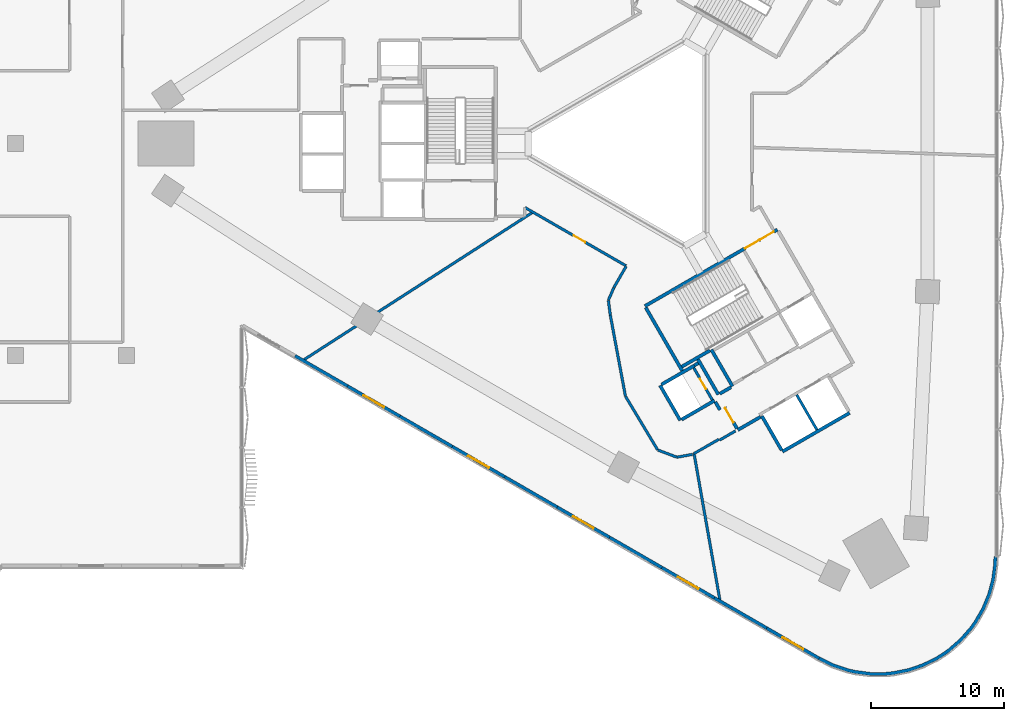
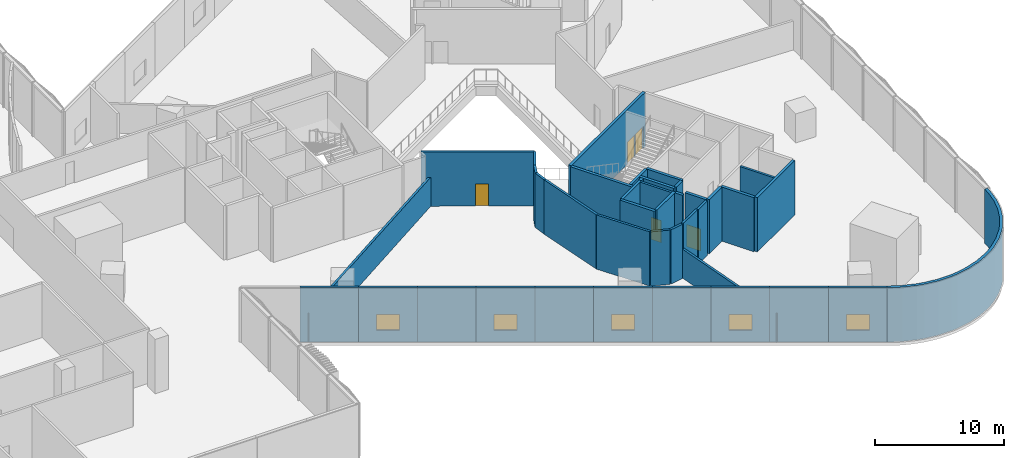
# One storey, part 14 of 31: 40 walls, 5 doors, 5 windows, 10 openings.
"""IFC4 building model written with IfcOpenShell, lengths in metres."""

from ifc_helpers import new_model, si_unit, direction, frame, frame_2d, origin, place, context, subcontext, project, spatial, polyline, rectangle, outline, extrude, material, layer, layer_set, type_object, element, fill, save


model = new_model("IFC4")

# Units and contexts
model_context = context("Model", 3, precision=1e-05, world=origin(), true_north=direction((0.0, 1.0)))
body_context = subcontext(model_context, "Body", "Model", "MODEL_VIEW")
ifc_project = project(units=[si_unit("LENGTHUNIT", "METRE"), si_unit("AREAUNIT", "SQUARE_METRE"), si_unit("VOLUMEUNIT", "CUBIC_METRE"), si_unit("PLANEANGLEUNIT", "RADIAN"), si_unit("MASSUNIT", "GRAM", prefix="KILO")], contexts=[model_context])

# Site, building, storey
site_placement = place(None, origin())
site = spatial("IfcSite", under=ifc_project, at=site_placement, CompositionType="ELEMENT")
building_placement = place(site_placement, origin())
building = spatial("IfcBuilding", under=site, at=building_placement, Name="Tamra Quay Hotel Tower", CompositionType="ELEMENT")
storey_placement = place(building_placement, frame((0.0, 0.0, 14.0)))
storey = spatial("IfcBuildingStorey", under=building, at=storey_placement, Name="L02", CompositionType="ELEMENT", Elevation=14.0)

# Wall
ifc_material_1 = material(Name="Concrete M70", Category="concrete")
ifc_layer_1 = layer(ifc_material_1, 0.199951171875)
ifc_layer_set_1 = layer_set([ifc_layer_1], Name="Concrete M70 core wall 200")
wall_type_1 = type_object("IfcWallType", Name="Concrete M70 core wall 200", PredefinedType="SHEAR", material=ifc_layer_set_1)
wall_1_placement = place(storey_placement, frame((11.87451171875, -18.967041015625, 0.0), z_axis=(0.0, 0.0, 1.0), x_axis=(0.49998131003, -0.866036194175, 0.0)))
element("IfcWall", 1, at=wall_1_placement, inside=storey, type_object=wall_type_1, Name="CW2", PredefinedType="SHEAR", context=body_context, shape_type="SweptSolid", body=[
    extrude(rectangle(XDim=3.0478515625, YDim=0.199951171875, at=frame_2d((1.52392578125, 0.0))), origin(), (0.0, 0.0, 1.0), 5.14990234375),
])

# Wall, opening, door
wall_2_placement = place(storey_placement, frame((5.50341796875, -19.352294921875, 0.0), z_axis=(0.0, 0.0, 1.0), x_axis=(-0.499986818241, 0.866033014143, 0.0)))
wall_2 = element("IfcWall", 2, at=wall_2_placement, inside=storey, type_object=wall_type_1, Name="CW2", PredefinedType="SHEAR", context=body_context, shape_type="SweptSolid", body=[
    extrude(rectangle(XDim=2.7978515625, YDim=0.199951171875, at=frame_2d((1.39892578125, 0.0))), origin(), (0.0, 0.0, 1.0), 5.14990234375),
])
opening_1_placement = place(wall_2_placement, frame((0.948974609375, 0.0, 0.0)))
opening_1 = element("IfcOpeningElement", 3, at=opening_1_placement, cuts=wall_2, Name="Opening D1", PredefinedType="OPENING", context=body_context, shape_type="SweptSolid", body=[
    extrude(rectangle(XDim=0.89990234375, YDim=2.10009765625, at=frame_2d((0.449951171875, 1.050048828125))), frame((0.0, 0.10986328125, 0.0), z_axis=(0.0, -1.0, 0.0), x_axis=(1.0, 0.0, 0.0)), (0.0, 0.0, 1.0), 0.219970703125),
])
ifc_material_2 = material(Name="Core door D1 900x2100 LH")
door_type_1 = type_object("IfcDoorType", Name="Core door D1 900x2100 LH", OperationType="NOTDEFINED", PredefinedType="DOOR", material=ifc_material_2)
door_1_placement = place(opening_1_placement, origin())
door_1 = element("IfcDoor", 4, at=door_1_placement, inside=storey, type_object=door_type_1, Name="D1", OperationType="SINGLE_SWING_LEFT", OverallHeight=2.10009765625, OverallWidth=0.89990234375, PredefinedType="DOOR", context=body_context, shape_type="SweptSolid", body=[
    extrude(rectangle(XDim=0.89990234375, YDim=2.10009765625, at=frame_2d((0.449951171875, 1.050048828125))), frame((0.0, 0.02490234375, 0.0), z_axis=(0.0, -1.0, 0.0), x_axis=(1.0, 0.0, 0.0)), (0.0, 0.0, 1.0), 0.050048828125),
])
fill(opening_1, door_1)

# Wall, openings, doors
ifc_layer_2 = layer(ifc_material_1, 0.25)
ifc_layer_set_2 = layer_set([ifc_layer_2], Name="Concrete M70 core wall 250")
wall_type_2 = type_object("IfcWallType", Name="Concrete M70 core wall 250", PredefinedType="SHEAR", material=ifc_layer_set_2)
wall_3_placement = place(storey_placement, frame((0.417236328125, -12.27294921875, 0.0), z_axis=(0.0, 0.0, 1.0), x_axis=(0.866021906294, 0.500006057782, 0.0)))
wall_3 = element("IfcWall", 5, at=wall_3_placement, inside=storey, type_object=wall_type_2, Name="CW1", PredefinedType="SHEAR", context=body_context, shape_type="SweptSolid", body=[
    extrude(rectangle(XDim=11.550048828125, YDim=0.25, at=frame_2d((5.77490234375, 0.0))), origin(), (0.0, 0.0, 1.0), 5.14990234375),
])
opening_2_placement = place(wall_3_placement, frame((10.024658203125, 0.0, 0.0)))
opening_2 = element("IfcOpeningElement", 6, at=opening_2_placement, cuts=wall_3, Name="Opening FD1", PredefinedType="OPENING", context=body_context, shape_type="SweptSolid", body=[
    extrude(rectangle(XDim=1.199951171875, YDim=2.10009765625, at=frame_2d((0.60009765625, 1.050048828125))), frame((0.0, 0.135009765625, 0.0), z_axis=(0.0, -1.0, 0.0), x_axis=(1.0, 0.0, 0.0)), (0.0, 0.0, 1.0), 0.27001953125),
])
opening_3_placement = place(wall_3_placement, frame((8.724609375, 0.0, 0.0)))
opening_3 = element("IfcOpeningElement", 7, at=opening_3_placement, cuts=wall_3, Name="Opening FD1", PredefinedType="OPENING", context=body_context, shape_type="SweptSolid", body=[
    extrude(rectangle(XDim=1.199951171875, YDim=2.10009765625, at=frame_2d((0.60009765625, 1.050048828125))), frame((0.0, 0.135009765625, 0.0), z_axis=(0.0, -1.0, 0.0), x_axis=(1.0, 0.0, 0.0)), (0.0, 0.0, 1.0), 0.27001953125),
])
ifc_material_3 = material(Name="Core door FD1 1200x2100 LH")
door_type_2 = type_object("IfcDoorType", Name="Core door FD1 1200x2100 LH", OperationType="NOTDEFINED", PredefinedType="DOOR", material=ifc_material_3)
door_2_placement = place(opening_2_placement, origin())
door_2 = element("IfcDoor", 8, at=door_2_placement, inside=storey, type_object=door_type_2, Name="FD1", OperationType="SINGLE_SWING_LEFT", OverallHeight=2.10009765625, OverallWidth=1.199951171875, PredefinedType="DOOR", context=body_context, shape_type="SweptSolid", body=[
    extrude(rectangle(XDim=1.199951171875, YDim=2.10009765625, at=frame_2d((0.60009765625, 1.050048828125))), frame((0.0, 0.02490234375, 0.0), z_axis=(0.0, -1.0, 0.0), x_axis=(1.0, 0.0, 0.0)), (0.0, 0.0, 1.0), 0.050048828125),
])
fill(opening_2, door_2)
ifc_material_4 = material(Name="Core door FD1 1200x2100 RH")
door_type_3 = type_object("IfcDoorType", Name="Core door FD1 1200x2100 RH", OperationType="NOTDEFINED", PredefinedType="DOOR", material=ifc_material_4)
door_3_placement = place(opening_3_placement, origin())
door_3 = element("IfcDoor", 9, at=door_3_placement, inside=storey, type_object=door_type_3, Name="FD1", OperationType="SINGLE_SWING_RIGHT", OverallHeight=2.10009765625, OverallWidth=1.199951171875, PredefinedType="DOOR", context=body_context, shape_type="SweptSolid", body=[
    extrude(rectangle(XDim=1.199951171875, YDim=2.10009765625, at=frame_2d((0.60009765625, 1.050048828125))), frame((0.0, 0.02490234375, 0.0), z_axis=(0.0, -1.0, 0.0), x_axis=(1.0, 0.0, 0.0)), (0.0, 0.0, 1.0), 0.050048828125),
])
fill(opening_3, door_3)

# Walls
wall_4_placement = place(storey_placement, frame((15.86474609375, -20.328369140625, 0.0), z_axis=(0.0, 0.0, 1.0), x_axis=(-0.86602852612, -0.499994591916, 0.0)))
element("IfcWall", 10, at=wall_4_placement, inside=storey, type_object=wall_type_2, Name="CW1", PredefinedType="SHEAR", context=body_context, shape_type="SweptSolid", body=[
    extrude(rectangle(XDim=5.85009765625, YDim=0.25, at=frame_2d((2.925048828125, 0.0))), origin(), (0.0, 0.0, 1.0), 5.14990234375),
])
wall_5_placement = place(storey_placement, frame((3.23486328125, -17.15283203125, 0.0), z_axis=(0.0, 0.0, 1.0), x_axis=(-0.500008851346, 0.866020293397, 0.0)))
element("IfcWall", 11, at=wall_5_placement, inside=storey, type_object=wall_type_2, Name="CW1", PredefinedType="SHEAR", context=body_context, shape_type="SweptSolid", body=[
    extrude(rectangle(XDim=5.509765625, YDim=0.25, at=frame_2d((2.7548828125, 0.0))), origin(), (0.0, 0.0, 1.0), 5.14990234375),
])
wall_6_placement = place(storey_placement, frame((7.030517578125, -18.327392578125, 0.0), z_axis=(0.0, 0.0, 1.0), x_axis=(-0.499971222258, 0.866042017984, 0.0)))
element("IfcWall", 12, at=wall_6_placement, inside=storey, type_object=wall_type_2, Name="CW1", PredefinedType="SHEAR", context=body_context, shape_type="SweptSolid", body=[
    extrude(rectangle(XDim=3.199951171875, YDim=0.25, at=frame_2d((1.60009765625, 0.0))), origin(), (0.0, 0.0, 1.0), 5.14990234375),
])
wall_7_placement = place(storey_placement, frame((10.73583984375, -23.144775390625, 0.0), z_axis=(0.0, 0.0, 1.0), x_axis=(-0.500023226632, 0.866011993467, 0.0)))
element("IfcWall", 13, at=wall_7_placement, inside=storey, type_object=wall_type_2, Name="CW1", PredefinedType="SHEAR", context=body_context, shape_type="SweptSolid", body=[
    extrude(rectangle(XDim=2.974365234375, YDim=0.25, at=frame_2d((1.4873046875, 0.0))), origin(), (0.0, 0.0, 1.0), 5.14990234375),
])
wall_8_placement = place(storey_placement, frame((3.085205078125, -20.893798828125, 0.0), z_axis=(0.0, 0.0, 1.0), x_axis=(-0.499978833458, 0.866037623948, 0.0)))
element("IfcWall", 14, at=wall_8_placement, inside=storey, type_object=wall_type_2, Name="CW1", PredefinedType="SHEAR", context=body_context, shape_type="SweptSolid", body=[
    extrude(rectangle(XDim=3.050048828125, YDim=0.25, at=frame_2d((1.52490234375, 0.0))), origin(), (0.0, 0.0, 1.0), 5.14990234375),
])
wall_9_placement = place(storey_placement, frame((1.6689453125, -18.189697265625, 0.0), z_axis=(0.0, 0.0, 1.0), x_axis=(0.866042235819, 0.499970844928, 0.0)))
element("IfcWall", 15, at=wall_9_placement, inside=storey, type_object=wall_type_2, Name="CW1", PredefinedType="SHEAR", context=body_context, shape_type="SweptSolid", body=[
    extrude(rectangle(XDim=2.864501953125, YDim=0.25, at=frame_2d((1.43212890625, 0.0))), origin(), (0.0, 0.0, 1.0), 5.14990234375),
])
wall_10_placement = place(storey_placement, frame((5.6748046875, -19.39892578125, 0.0), z_axis=(0.0, 0.0, 1.0), x_axis=(-0.866026637627, -0.499997862916, 0.0)))
element("IfcWall", 16, at=wall_10_placement, inside=storey, type_object=wall_type_2, Name="CW1", PredefinedType="SHEAR", context=body_context, shape_type="SweptSolid", body=[
    extrude(rectangle(XDim=2.86474609375, YDim=0.25, at=frame_2d((1.432373046875, 0.0))), origin(), (0.0, 0.0, 1.0), 5.14990234375),
])
wall_11_placement = place(storey_placement, frame((4.414306640625, -16.275634765625, 0.0), z_axis=(0.0, 0.0, 1.0), x_axis=(0.500003324108, -0.866023484601, 0.0)))
element("IfcWall", 17, at=wall_11_placement, inside=storey, type_object=wall_type_2, Name="CW1", PredefinedType="SHEAR", context=body_context, shape_type="SweptSolid", body=[
    extrude(rectangle(XDim=3.0849609375, YDim=0.25, at=frame_2d((1.54248046875, 0.0))), origin(), (0.0, 0.0, 1.0), 5.14990234375),
])
wall_12_placement = place(storey_placement, frame((5.322021484375, -15.618896484375, 0.0), z_axis=(0.0, 0.0, 1.0), x_axis=(-0.866026229868, -0.499998569178, 0.0)))
element("IfcWall", 18, at=wall_12_placement, inside=storey, type_object=wall_type_2, Name="CW1", PredefinedType="SHEAR", context=body_context, shape_type="SweptSolid", body=[
    extrude(rectangle(XDim=2.44921875, YDim=0.25, at=frame_2d((1.224609375, 0.0))), origin(), (0.0, 0.0, 1.0), 5.14990234375),
])
wall_13_placement = place(storey_placement, frame((9.139892578125, -20.63134765625, 0.0), z_axis=(0.0, 0.0, 1.0), x_axis=(-0.866043531843, -0.499968599967, 0.0)))
element("IfcWall", 19, at=wall_13_placement, inside=storey, type_object=wall_type_2, Name="CW1", PredefinedType="SHEAR", context=body_context, shape_type="SweptSolid", body=[
    extrude(rectangle(XDim=1.974853515625, YDim=0.25, at=frame_2d((0.9873046875, 0.0))), origin(), (0.0, 0.0, 1.0), 5.14990234375),
])

# Wall, opening, door
wall_14_placement = place(storey_placement, frame((7.3671875, -21.51025390625, 0.0), z_axis=(0.0, 0.0, 1.0), x_axis=(-0.499983108224, 0.866035156036, 0.0)))
wall_14 = element("IfcWall", 20, at=wall_14_placement, inside=storey, type_object=wall_type_2, Name="CW1", PredefinedType="SHEAR", context=body_context, shape_type="SweptSolid", body=[
    extrude(rectangle(XDim=1.86474609375, YDim=0.25, at=frame_2d((0.932373046875, 0.0))), origin(), (0.0, 0.0, 1.0), 5.14990234375),
])
opening_4_placement = place(wall_14_placement, frame((0.53466796875, 0.0, 0.0)))
opening_4 = element("IfcOpeningElement", 21, at=opening_4_placement, cuts=wall_14, Name="Opening FD3", PredefinedType="OPENING", context=body_context, shape_type="SweptSolid", body=[
    extrude(rectangle(XDim=1.25, YDim=2.10009765625, at=frame_2d((0.625, 1.050048828125))), frame((0.0, 0.135009765625, 0.0), z_axis=(0.0, -1.0, 0.0), x_axis=(1.0, 0.0, 0.0)), (0.0, 0.0, 1.0), 0.27001953125),
])
ifc_material_5 = material(Name="Core door FD3 1250x2100 LH")
door_type_4 = type_object("IfcDoorType", Name="Core door FD3 1250x2100 LH", OperationType="NOTDEFINED", PredefinedType="DOOR", material=ifc_material_5)
door_4_placement = place(opening_4_placement, origin())
door_4 = element("IfcDoor", 22, at=door_4_placement, inside=storey, type_object=door_type_4, Name="FD3", OperationType="SINGLE_SWING_LEFT", OverallHeight=2.10009765625, OverallWidth=1.25, PredefinedType="DOOR", context=body_context, shape_type="SweptSolid", body=[
    extrude(rectangle(XDim=1.25, YDim=2.10009765625, at=frame_2d((0.625, 1.050048828125))), frame((0.0, 0.02490234375, 0.0), z_axis=(0.0, -1.0, 0.0), x_axis=(1.0, 0.0, 0.0)), (0.0, 0.0, 1.0), 0.050048828125),
])
fill(opening_4, door_4)

# Walls
wall_15_placement = place(storey_placement, frame((6.0654296875, -18.884765625, 0.0), z_axis=(0.0, 0.0, 1.0), x_axis=(0.866017078145, 0.500014420154, 0.0)))
element("IfcWall", 23, at=wall_15_placement, inside=storey, type_object=wall_type_2, Name="CW1", PredefinedType="SHEAR", context=body_context, shape_type="SweptSolid", body=[
    extrude(rectangle(XDim=0.9892578125, YDim=0.25, at=frame_2d((0.49462890625, 0.0))), origin(), (0.0, 0.0, 1.0), 5.14990234375),
])
wall_16_placement = place(storey_placement, frame((6.07958984375, -20.100341796875, 0.0), z_axis=(0.0, 0.0, 1.0), x_axis=(-0.500051773299, 0.865995510393, 0.0)))
element("IfcWall", 24, at=wall_16_placement, inside=storey, type_object=wall_type_2, Name="CW1", PredefinedType="SHEAR", context=body_context, shape_type="SweptSolid", body=[
    extrude(rectangle(XDim=0.6845703125, YDim=0.25, at=frame_2d((0.34228515625, 0.0))), origin(), (0.0, 0.0, 1.0), 5.14990234375),
])
wall_17_placement = place(storey_placement, frame((4.144775390625, -16.748779296875, 0.0), z_axis=(0.0, 0.0, 1.0), x_axis=(0.866185586049, 0.49972245349, 0.0)))
element("IfcWall", 25, at=wall_17_placement, inside=storey, type_object=wall_type_2, Name="CW1", PredefinedType="SHEAR", context=body_context, shape_type="SweptSolid", body=[
    extrude(rectangle(XDim=0.344482421875, YDim=0.25, at=frame_2d((0.17236328125, 0.0))), origin(), (0.0, 0.0, 1.0), 5.14990234375),
])
ifc_material_6 = material(Name="Blockwork masonry plastered", Category="masonry")
ifc_layer_3 = layer(ifc_material_6, 0.25)
ifc_layer_set_3 = layer_set([ifc_layer_3], Name="EXTERNAL WALL 250")
wall_type_3 = type_object("IfcWallType", Name="EXTERNAL WALL 250", PredefinedType="SOLIDWALL", material=ifc_layer_set_3)
wall_18_placement = place(storey_placement, frame((-22.0283203125, -18.314453125, 0.0), z_axis=(0.0, 0.0, 1.0), x_axis=(-0.866023543838, 0.500003221507, 0.0)))
element("IfcWall", 26, at=wall_18_placement, inside=storey, type_object=wall_type_3, Name="EW1", PredefinedType="SOLIDWALL", context=body_context, shape_type="SweptSolid", body=[
    extrude(rectangle(XDim=4.56640625, YDim=0.25, at=frame_2d((2.283203125, 0.0))), origin(), (0.0, 0.0, 1.0), 5.14990234375),
])

# Wall, opening, window
wall_19_placement = place(storey_placement, frame((-18.073974609375, -20.59765625, 0.0), z_axis=(0.0, 0.0, 1.0), x_axis=(-0.866010176527, 0.500026373457, 0.0)))
wall_19 = element("IfcWall", 27, at=wall_19_placement, inside=storey, type_object=wall_type_3, Name="EW1", PredefinedType="SOLIDWALL", context=body_context, shape_type="SweptSolid", body=[
    extrude(rectangle(XDim=4.566162109375, YDim=0.25, at=frame_2d((2.283203125, 0.0))), origin(), (0.0, 0.0, 1.0), 5.14990234375),
])
opening_5_placement = place(wall_19_placement, frame((1.383056640625, 0.0, 1.10009765625)))
opening_5 = element("IfcOpeningElement", 28, at=opening_5_placement, cuts=wall_19, Name="Opening PW2", PredefinedType="OPENING", context=body_context, shape_type="SweptSolid", body=[
    extrude(rectangle(XDim=1.800048828125, YDim=1.5, at=frame_2d((0.89990234375, 0.75))), frame((0.0, 0.135009765625, 0.0), z_axis=(0.0, -1.0, 0.0), x_axis=(1.0, 0.0, 0.0)), (0.0, 0.0, 1.0), 0.27001953125),
])
ifc_material_7 = material(Name="Aluminium window with clear glass", Category="aluminium")
window_type = type_object("IfcWindowType", Name="PODIUM WINDOW 1800X1500", PartitioningType="DOUBLE_PANEL_VERTICAL", PredefinedType="WINDOW", material=ifc_material_7)
window_1_placement = place(opening_5_placement, origin())
window_1 = element("IfcWindow", 29, at=window_1_placement, inside=storey, type_object=window_type, Name="PW2", OverallHeight=1.5, OverallWidth=1.800048828125, PartitioningType="SINGLE_PANEL", PredefinedType="WINDOW", context=body_context, shape_type="SweptSolid", body=[
    extrude(rectangle(XDim=1.800048828125, YDim=1.5, at=frame_2d((0.89990234375, 0.75))), frame((0.0, 0.030029296875, 0.0), z_axis=(0.0, -1.0, 0.0), x_axis=(1.0, 0.0, 0.0)), (0.0, 0.0, 1.0), 0.06005859375),
])
fill(opening_5, window_1)

# Wall
wall_20_placement = place(storey_placement, frame((-14.119384765625, -22.880859375, 0.0), z_axis=(0.0, 0.0, 1.0), x_axis=(-0.866023543838, 0.500003221507, 0.0)))
element("IfcWall", 30, at=wall_20_placement, inside=storey, type_object=wall_type_3, Name="EW1", PredefinedType="SOLIDWALL", context=body_context, shape_type="SweptSolid", body=[
    extrude(rectangle(XDim=4.56640625, YDim=0.25, at=frame_2d((2.283203125, 0.0))), origin(), (0.0, 0.0, 1.0), 5.14990234375),
])

# Wall, opening, window
wall_21_placement = place(storey_placement, frame((-10.164794921875, -25.1640625, 0.0), z_axis=(0.0, 0.0, 1.0), x_axis=(-0.866023543838, 0.500003221507, 0.0)))
wall_21 = element("IfcWall", 31, at=wall_21_placement, inside=storey, type_object=wall_type_3, Name="EW1", PredefinedType="SOLIDWALL", context=body_context, shape_type="SweptSolid", body=[
    extrude(rectangle(XDim=4.56640625, YDim=0.25, at=frame_2d((2.283203125, 0.0))), origin(), (0.0, 0.0, 1.0), 5.14990234375),
])
opening_6_placement = place(wall_21_placement, frame((1.383056640625, 0.0, 1.10009765625)))
opening_6 = element("IfcOpeningElement", 32, at=opening_6_placement, cuts=wall_21, Name="Opening PW2", PredefinedType="OPENING", context=body_context, shape_type="SweptSolid", body=[
    extrude(rectangle(XDim=1.800048828125, YDim=1.5, at=frame_2d((0.89990234375, 0.75))), frame((0.0, 0.135009765625, 0.0), z_axis=(0.0, -1.0, 0.0), x_axis=(1.0, 0.0, 0.0)), (0.0, 0.0, 1.0), 0.27001953125),
])
window_2_placement = place(opening_6_placement, origin())
window_2 = element("IfcWindow", 33, at=window_2_placement, inside=storey, type_object=window_type, Name="PW2", OverallHeight=1.5, OverallWidth=1.800048828125, PartitioningType="SINGLE_PANEL", PredefinedType="WINDOW", context=body_context, shape_type="SweptSolid", body=[
    extrude(rectangle(XDim=1.800048828125, YDim=1.5, at=frame_2d((0.89990234375, 0.75))), frame((0.0, 0.030029296875, 0.0), z_axis=(0.0, -1.0, 0.0), x_axis=(1.0, 0.0, 0.0)), (0.0, 0.0, 1.0), 0.06005859375),
])
fill(opening_6, window_2)

# Wall
wall_22_placement = place(storey_placement, frame((-6.210205078125, -27.447021484375, 0.0), z_axis=(0.0, 0.0, 1.0), x_axis=(-0.866046694585, 0.499963121439, 0.0)))
element("IfcWall", 34, at=wall_22_placement, inside=storey, type_object=wall_type_3, Name="EW1", PredefinedType="SOLIDWALL", context=body_context, shape_type="SweptSolid", body=[
    extrude(rectangle(XDim=4.566162109375, YDim=0.25, at=frame_2d((2.283203125, 0.0))), origin(), (0.0, 0.0, 1.0), 5.14990234375),
])

# Wall, opening, window
wall_23_placement = place(storey_placement, frame((-2.255615234375, -29.730224609375, 0.0), z_axis=(0.0, 0.0, 1.0), x_axis=(-0.866023543838, 0.500003221507, 0.0)))
wall_23 = element("IfcWall", 35, at=wall_23_placement, inside=storey, type_object=wall_type_3, Name="EW1", PredefinedType="SOLIDWALL", context=body_context, shape_type="SweptSolid", body=[
    extrude(rectangle(XDim=4.56640625, YDim=0.25, at=frame_2d((2.283203125, 0.0))), origin(), (0.0, 0.0, 1.0), 5.14990234375),
])
opening_7_placement = place(wall_23_placement, frame((1.383056640625, 0.0, 1.10009765625)))
opening_7 = element("IfcOpeningElement", 36, at=opening_7_placement, cuts=wall_23, Name="Opening PW2", PredefinedType="OPENING", context=body_context, shape_type="SweptSolid", body=[
    extrude(rectangle(XDim=1.800048828125, YDim=1.5, at=frame_2d((0.89990234375, 0.75))), frame((0.0, 0.135009765625, 0.0), z_axis=(0.0, -1.0, 0.0), x_axis=(1.0, 0.0, 0.0)), (0.0, 0.0, 1.0), 0.27001953125),
])
window_3_placement = place(opening_7_placement, origin())
window_3 = element("IfcWindow", 37, at=window_3_placement, inside=storey, type_object=window_type, Name="PW2", OverallHeight=1.5, OverallWidth=1.800048828125, PartitioningType="SINGLE_PANEL", PredefinedType="WINDOW", context=body_context, shape_type="SweptSolid", body=[
    extrude(rectangle(XDim=1.800048828125, YDim=1.5, at=frame_2d((0.89990234375, 0.75))), frame((0.0, 0.030029296875, 0.0), z_axis=(0.0, -1.0, 0.0), x_axis=(1.0, 0.0, 0.0)), (0.0, 0.0, 1.0), 0.06005859375),
])
fill(opening_7, window_3)

# Wall
wall_24_placement = place(storey_placement, frame((1.698974609375, -32.013427734375, 0.0), z_axis=(0.0, 0.0, 1.0), x_axis=(-0.866023543838, 0.500003221507, 0.0)))
element("IfcWall", 38, at=wall_24_placement, inside=storey, type_object=wall_type_3, Name="EW1", PredefinedType="SOLIDWALL", context=body_context, shape_type="SweptSolid", body=[
    extrude(rectangle(XDim=4.56640625, YDim=0.25, at=frame_2d((2.283203125, 0.0))), origin(), (0.0, 0.0, 1.0), 5.14990234375),
])

# Wall, opening, window
wall_25_placement = place(storey_placement, frame((5.6533203125, -34.296630859375, 0.0), z_axis=(0.0, 0.0, 1.0), x_axis=(-0.866010176527, 0.500026373457, 0.0)))
wall_25 = element("IfcWall", 39, at=wall_25_placement, inside=storey, type_object=wall_type_3, Name="EW1", PredefinedType="SOLIDWALL", context=body_context, shape_type="SweptSolid", body=[
    extrude(rectangle(XDim=4.566162109375, YDim=0.25, at=frame_2d((2.283203125, 0.0))), origin(), (0.0, 0.0, 1.0), 5.14990234375),
])
opening_8_placement = place(wall_25_placement, frame((1.383056640625, 0.0, 1.10009765625)))
opening_8 = element("IfcOpeningElement", 40, at=opening_8_placement, cuts=wall_25, Name="Opening PW2", PredefinedType="OPENING", context=body_context, shape_type="SweptSolid", body=[
    extrude(rectangle(XDim=1.800048828125, YDim=1.5, at=frame_2d((0.89990234375, 0.75))), frame((0.0, 0.135009765625, 0.0), z_axis=(0.0, -1.0, 0.0), x_axis=(1.0, 0.0, 0.0)), (0.0, 0.0, 1.0), 0.27001953125),
])
window_4_placement = place(opening_8_placement, origin())
window_4 = element("IfcWindow", 41, at=window_4_placement, inside=storey, type_object=window_type, Name="PW2", OverallHeight=1.5, OverallWidth=1.800048828125, PartitioningType="SINGLE_PANEL", PredefinedType="WINDOW", context=body_context, shape_type="SweptSolid", body=[
    extrude(rectangle(XDim=1.800048828125, YDim=1.5, at=frame_2d((0.89990234375, 0.75))), frame((0.0, 0.030029296875, 0.0), z_axis=(0.0, -1.0, 0.0), x_axis=(1.0, 0.0, 0.0)), (0.0, 0.0, 1.0), 0.06005859375),
])
fill(opening_8, window_4)

# Wall
wall_26_placement = place(storey_placement, frame((9.60791015625, -36.579833984375, 0.0), z_axis=(0.0, 0.0, 1.0), x_axis=(-0.866023543838, 0.500003221507, 0.0)))
element("IfcWall", 42, at=wall_26_placement, inside=storey, type_object=wall_type_3, Name="EW1", PredefinedType="SOLIDWALL", context=body_context, shape_type="SweptSolid", body=[
    extrude(rectangle(XDim=4.56640625, YDim=0.25, at=frame_2d((2.283203125, 0.0))), origin(), (0.0, 0.0, 1.0), 5.14990234375),
])

# Wall, opening, window
wall_27_placement = place(storey_placement, frame((13.5625, -38.86279296875, 0.0), z_axis=(0.0, 0.0, 1.0), x_axis=(-0.866046694585, 0.499963121439, 0.0)))
wall_27 = element("IfcWall", 43, at=wall_27_placement, inside=storey, type_object=wall_type_3, Name="EW1", PredefinedType="SOLIDWALL", context=body_context, shape_type="SweptSolid", body=[
    extrude(rectangle(XDim=4.566162109375, YDim=0.25, at=frame_2d((2.283203125, 0.0))), origin(), (0.0, 0.0, 1.0), 5.14990234375),
])
opening_9_placement = place(wall_27_placement, frame((1.383056640625, 0.0, 1.10009765625)))
opening_9 = element("IfcOpeningElement", 44, at=opening_9_placement, cuts=wall_27, Name="Opening PW2", PredefinedType="OPENING", context=body_context, shape_type="SweptSolid", body=[
    extrude(rectangle(XDim=1.800048828125, YDim=1.5, at=frame_2d((0.89990234375, 0.75))), frame((0.0, 0.135009765625, 0.0), z_axis=(0.0, -1.0, 0.0), x_axis=(1.0, 0.0, 0.0)), (0.0, 0.0, 1.0), 0.27001953125),
])
window_5_placement = place(opening_9_placement, origin())
window_5 = element("IfcWindow", 45, at=window_5_placement, inside=storey, type_object=window_type, Name="PW2", OverallHeight=1.5, OverallWidth=1.800048828125, PartitioningType="SINGLE_PANEL", PredefinedType="WINDOW", context=body_context, shape_type="SweptSolid", body=[
    extrude(rectangle(XDim=1.800048828125, YDim=1.5, at=frame_2d((0.89990234375, 0.75))), frame((0.0, 0.030029296875, 0.0), z_axis=(0.0, -1.0, 0.0), x_axis=(1.0, 0.0, 0.0)), (0.0, 0.0, 1.0), 0.06005859375),
])
fill(opening_9, window_5)

# Wall
wall_28_placement = place(storey_placement, origin())
element("IfcWall", 46, at=wall_28_placement, inside=storey, type_object=wall_type_3, Name="EW1", PredefinedType="SOLIDWALL", context=body_context, shape_type="SweptSolid", body=[
    extrude(outline(polyline([(13.5, -38.97119140625), (14.555908203125, -39.491943359375), (15.670654296875, -39.870361328125), (16.244140625, -40.00390625), (17.411376953125, -40.15771484375), (18.588623046875, -40.15771484375), (19.1748046875, -40.099853515625), (20.329345703125, -39.870361328125), (21.444091796875, -39.491943359375), (22.5, -38.97119140625), (23.000244140625, -38.66015625), (23.478759765625, -38.317138671875), (24.364013671875, -37.540771484375), (25.14013671875, -36.65576171875), (25.483154296875, -36.177001953125), (26.07177734375, -35.157470703125), (26.5224609375, -34.06982421875), (26.8271484375, -32.9326171875), (26.980712890625, -31.765625), (27.0, -31.177001953125), (26.750244140625, -31.168701171875), (26.731201171875, -31.7451171875), (26.581298828125, -32.8837890625), (26.28515625, -33.9892578125), (25.84716796875, -35.046630859375), (25.27294921875, -36.04150390625), (24.944091796875, -36.500244140625), (24.186767578125, -37.36376953125), (23.3232421875, -38.12109375), (22.861083984375, -38.4521484375), (22.37841796875, -38.75244140625), (21.348388671875, -39.26025390625), (20.2646484375, -39.628173828125), (19.137939453125, -39.852294921875), (18.576416015625, -39.90771484375), (17.427734375, -39.90771484375), (16.2890625, -39.7578125), (15.7392578125, -39.629638671875), (14.651611328125, -39.26025390625), (13.610595703125, -38.746826171875), (13.5, -38.97119140625)])), origin(), (0.0, 0.0, 1.0), 5.14990234375),
])

# Wall, opening, door
ifc_material_8 = material(Name="Partition corridor wall")
ifc_layer_4 = layer(ifc_material_8, 0.199951171875)
ifc_layer_set_4 = layer_set([ifc_layer_4], Name="Partition corridor wall")
wall_type_4 = type_object("IfcWallType", Name="Partition corridor wall", PredefinedType="PARTITIONING", material=ifc_layer_set_4)
wall_29_placement = place(storey_placement, frame((-8.635986328125, -4.830078125, 0.0), z_axis=(0.0, 0.0, 1.0), x_axis=(0.866235373729, -0.499636144911, 0.0)))
wall_29 = element("IfcWall", 47, at=wall_29_placement, inside=storey, type_object=wall_type_4, Name="W-C", PredefinedType="PARTITIONING", context=body_context, shape_type="SweptSolid", body=[
    extrude(rectangle(XDim=8.81591796875, YDim=0.199951171875, at=frame_2d((4.407958984375, 0.0))), origin(), (0.0, 0.0, 1.0), 5.14990234375),
])
opening_10_placement = place(wall_29_placement, frame((4.250244140625, 0.0, 0.0)))
opening_10 = element("IfcOpeningElement", 48, at=opening_10_placement, cuts=wall_29, Name="Opening L02-D019", PredefinedType="OPENING", context=body_context, shape_type="SweptSolid", body=[
    extrude(rectangle(XDim=1.0, YDim=2.10009765625, at=frame_2d((0.5, 1.050048828125))), frame((0.0, 0.10986328125, 0.0), z_axis=(0.0, -1.0, 0.0), x_axis=(1.0, 0.0, 0.0)), (0.0, 0.0, 1.0), 0.219970703125),
])
ifc_material_9 = material(Name="Door guest room 1000x2100")
door_type_5 = type_object("IfcDoorType", Name="Door guest room 1000x2100", OperationType="NOTDEFINED", PredefinedType="DOOR", material=ifc_material_9)
door_5_placement = place(opening_10_placement, frame((1.0, 0.0, 0.0), z_axis=(0.0, 0.0, 1.0), x_axis=(-1.0, 0.0, 0.0)))
door_5 = element("IfcDoor", 49, at=door_5_placement, inside=storey, type_object=door_type_5, Name="L02-D019", OperationType="SINGLE_SWING_LEFT", OverallHeight=2.10009765625, OverallWidth=1.0, PredefinedType="DOOR", context=body_context, shape_type="SweptSolid", body=[
    extrude(rectangle(XDim=1.0, YDim=2.10009765625, at=frame_2d((0.5, 1.050048828125))), frame((0.0, 0.02490234375, 0.0), z_axis=(0.0, -1.0, 0.0), x_axis=(1.0, 0.0, 0.0)), (0.0, 0.0, 1.0), 0.050048828125),
])
fill(opening_10, door_5)

# Walls
wall_30_placement = place(storey_placement, frame((-2.342041015625, -11.8359375, 0.0), z_axis=(0.0, 0.0, 1.0), x_axis=(0.130946383531, -0.991389451548, 0.0)))
element("IfcWall", 50, at=wall_30_placement, inside=storey, type_object=wall_type_4, Name="W-C", PredefinedType="PARTITIONING", context=body_context, shape_type="SweptSolid", body=[
    extrude(rectangle(XDim=1.1298828125, YDim=0.199951171875, at=frame_2d((0.56494140625, 0.0))), origin(), (0.0, 0.0, 1.0), 5.14990234375),
])
wall_31_placement = place(storey_placement, frame((-2.340087890625, -11.825927734375, 0.0), z_axis=(0.0, 0.0, 1.0), x_axis=(0.40001633318, 0.916508010434, 0.0)))
element("IfcWall", 51, at=wall_31_placement, inside=storey, type_object=wall_type_4, Name="W-C", PredefinedType="PARTITIONING", context=body_context, shape_type="SweptSolid", body=[
    extrude(rectangle(XDim=1.03759765625, YDim=0.199951171875, at=frame_2d((0.518798828125, 0.0))), origin(), (0.0, 0.0, 1.0), 5.14990234375),
])
wall_32_placement = place(storey_placement, frame((-2.194091796875, -12.9560546875, 0.0), z_axis=(0.0, 0.0, 1.0), x_axis=(0.183727464476, -0.982977221912, 0.0)))
element("IfcWall", 52, at=wall_32_placement, inside=storey, type_object=wall_type_4, Name="W-C", PredefinedType="PARTITIONING", context=body_context, shape_type="SweptSolid", body=[
    extrude(rectangle(XDim=6.226806640625, YDim=0.199951171875, at=frame_2d((3.11328125, 0.0))), origin(), (0.0, 0.0, 1.0), 5.14990234375),
])
wall_33_placement = place(storey_placement, frame((-1.924072265625, -10.867919921875, 0.0), z_axis=(0.0, 0.0, 1.0), x_axis=(0.499920006315, 0.866071583234, 0.0)))
element("IfcWall", 53, at=wall_33_placement, inside=storey, type_object=wall_type_4, Name="W-C", PredefinedType="PARTITIONING", context=body_context, shape_type="SweptSolid", body=[
    extrude(rectangle(XDim=1.854248046875, YDim=0.199951171875, at=frame_2d((0.92724609375, 0.0))), origin(), (0.0, 0.0, 1.0), 5.14990234375),
])
wall_34_placement = place(storey_placement, frame((-1.044921875, -19.087890625, 0.0), z_axis=(0.0, 0.0, 1.0), x_axis=(0.51489213726, -0.857254971982, 0.0)))
element("IfcWall", 54, at=wall_34_placement, inside=storey, type_object=wall_type_4, Name="W-C", PredefinedType="PARTITIONING", context=body_context, shape_type="SweptSolid", body=[
    extrude(rectangle(XDim=4.709228515625, YDim=0.199951171875, at=frame_2d((2.3544921875, 0.0))), origin(), (0.0, 0.0, 1.0), 5.14990234375),
])
wall_35_placement = place(storey_placement, frame((1.39404296875, -23.133056640625, 0.0), z_axis=(0.0, 0.0, 1.0), x_axis=(0.935740267615, -0.352689880154, 0.0)))
element("IfcWall", 55, at=wall_35_placement, inside=storey, type_object=wall_type_4, Name="W-C", PredefinedType="PARTITIONING", context=body_context, shape_type="SweptSolid", body=[
    extrude(rectangle(XDim=1.53662109375, YDim=0.199951171875, at=frame_2d((0.768310546875, 0.0))), origin(), (0.0, 0.0, 1.0), 5.14990234375),
])
wall_36_placement = place(storey_placement, frame((2.839111328125, -23.675048828125, 0.0), z_axis=(0.0, 0.0, 1.0), x_axis=(0.983781026783, 0.179373608267, 0.0)))
element("IfcWall", 56, at=wall_36_placement, inside=storey, type_object=wall_type_4, Name="W-C", PredefinedType="PARTITIONING", context=body_context, shape_type="SweptSolid", body=[
    extrude(rectangle(XDim=1.188232421875, YDim=0.199951171875, at=frame_2d((0.59423828125, 0.0))), origin(), (0.0, 0.0, 1.0), 5.14990234375),
])
wall_37_placement = place(storey_placement, frame((4.115966796875, -23.404052734375, 0.0), z_axis=(0.0, 0.0, 1.0), x_axis=(0.867604920029, 0.497254163121, 0.0)))
element("IfcWall", 57, at=wall_37_placement, inside=storey, type_object=wall_type_4, Name="W-C", PredefinedType="PARTITIONING", context=body_context, shape_type="SweptSolid", body=[
    extrude(rectangle(XDim=2.168212890625, YDim=0.199951171875, at=frame_2d((1.083984375, 0.0))), origin(), (0.0, 0.0, 1.0), 5.14990234375),
])
wall_38_placement = place(storey_placement, frame((6.056884765625, -22.384033203125, 0.0), z_axis=(0.0, 0.0, 1.0), x_axis=(0.866100566266, 0.499869792159, 0.0)))
element("IfcWall", 58, at=wall_38_placement, inside=storey, type_object=wall_type_4, Name="W-C", PredefinedType="PARTITIONING", context=body_context, shape_type="SweptSolid", body=[
    extrude(rectangle(XDim=1.386474609375, YDim=0.199951171875, at=frame_2d((0.693359375, 0.0))), origin(), (0.0, 0.0, 1.0), 5.14990234375),
])
ifc_material_10 = material(Name="Partition party wall")
ifc_layer_5 = layer(ifc_material_10, 0.199951171875)
ifc_layer_set_5 = layer_set([ifc_layer_5], Name="Partition party wall")
wall_type_5 = type_object("IfcWallType", Name="Partition party wall", PredefinedType="PARTITIONING", material=ifc_layer_set_5)
wall_39_placement = place(storey_placement, frame((-25.509033203125, -16.444091796875, 0.0), z_axis=(0.0, 0.0, 1.0), x_axis=(0.840504011594, 0.541805321582, 0.0)))
element("IfcWall", 59, at=wall_39_placement, inside=storey, type_object=wall_type_5, Name="W-P", PredefinedType="PARTITIONING", context=body_context, shape_type="SweptSolid", body=[
    extrude(rectangle(XDim=20.7900390625, YDim=0.199951171875, at=frame_2d((10.39501953125, 0.0))), origin(), (0.0, 0.0, 1.0), 2.75),
])
wall_40_placement = place(storey_placement, frame((4.1259765625, -23.39990234375, 0.0), z_axis=(0.0, 0.0, 1.0), x_axis=(0.173678575234, -0.984802392617, 0.0)))
element("IfcWall", 60, at=wall_40_placement, inside=storey, type_object=wall_type_5, Name="W-P", PredefinedType="PARTITIONING", context=body_context, shape_type="SweptSolid", body=[
    extrude(rectangle(XDim=11.48046875, YDim=0.199951171875, at=frame_2d((5.740234375, 0.0))), origin(), (0.0, 0.0, 1.0), 2.75),
])

save(model, "model.ifc")
